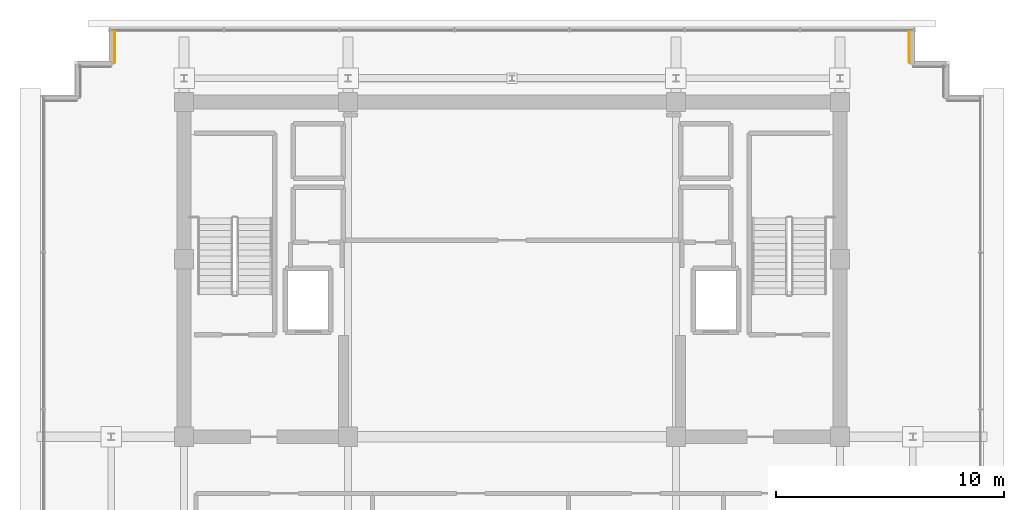
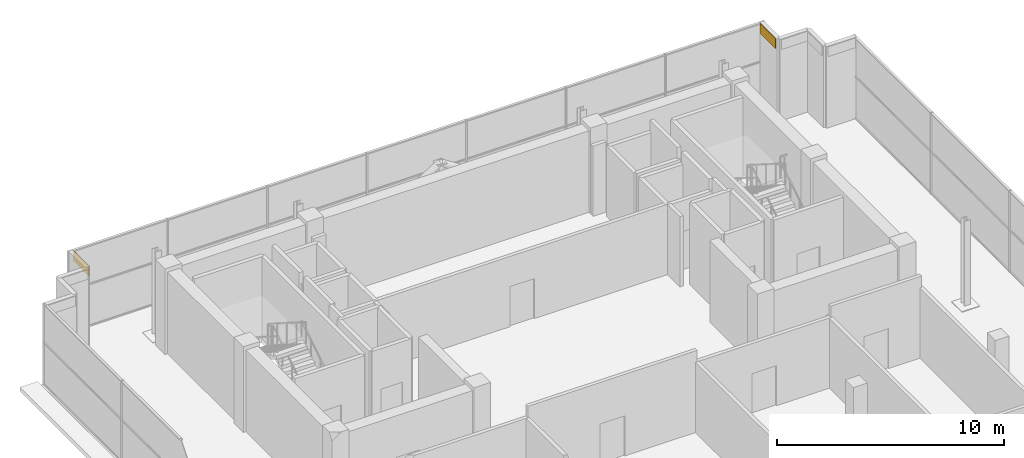
# One storey, part 28 of 28: 2 coverings.
"""IFC4 building model written with IfcOpenShell, lengths in metres."""

from ifc_helpers import new_model, si_unit, direction, frame, origin, origin_2d, place, context, subcontext, project, spatial, rectangle, extrude, source, transform, mapped, material, layer, layer_set, type_object, element, save


model = new_model("IFC4")

# Units and contexts
model_context = context("Model", 3, precision=1e-05, world=origin(), true_north=direction((0.0, 1.0)))
body_context = subcontext(model_context, "Body", "Model", "MODEL_VIEW")
ifc_project = project(units=[si_unit("LENGTHUNIT", "METRE"), si_unit("AREAUNIT", "SQUARE_METRE"), si_unit("VOLUMEUNIT", "CUBIC_METRE"), si_unit("PLANEANGLEUNIT", "RADIAN"), si_unit("MASSUNIT", "GRAM", prefix="KILO")], contexts=[model_context])

# Site, building, storey
site_placement = place(None, origin())
site = spatial("IfcSite", under=ifc_project, at=site_placement, CompositionType="ELEMENT")
building_placement = place(site_placement, origin())
building = spatial("IfcBuilding", under=site, at=building_placement, Name="Zarnakvel Exchange Tower", CompositionType="ELEMENT")
storey_placement = place(building_placement, frame((0.0, 0.0, 271.60009765625)))
storey = spatial("IfcBuildingStorey", under=building, at=storey_placement, Name="Crown L77", CompositionType="ELEMENT", Elevation=271.60009765625)

# Coverings
ifc_material = material(Name="Glazed Turquoise Ceramic Architectural Tile", Category="ceramic")
ifc_layer = layer(ifc_material, 0.028076171875)
ifc_layer_set = layer_set([ifc_layer], Name="Glazed Turquoise Ceramic Architectural Tile")
covering_type = type_object("IfcCoveringType", Name="CL-01", PredefinedType="CLADDING", material=ifc_layer_set)
shared_shape = source(origin(), body_context, "Body", "SweptSolid", [
    extrude(rectangle(XDim=1.3798828125, YDim=0.028076171875, at=origin_2d()), origin(), (0.0, 0.0, 1.0), 0.52001953125),
])
for number, where, z_axis, x_axis, name in (
    (1, (-17.43798828125, 15.909912109375, 3.83984375), (0.0, 0.0, 1.0), (0.0, -1.0, 0.0), "Crown L77 Ceramic Spandrel Tilework CL-01"),
    (2, (17.43798828125, 15.909912109375, 3.83984375), (0.0, 0.0, 1.0), (0.0, 1.0, 0.0), "Crown L77 Ceramic Spandrel Tilework CL-01"),
):
    element("IfcCovering", number, at=place(storey_placement, frame(where, z_axis=z_axis, x_axis=x_axis)), inside=storey, type_object=covering_type, Name=name, PredefinedType="CLADDING", context=body_context, shape_type="MappedRepresentation", body=[
        mapped(shared_shape, transform((0.0, 0.0, 0.0), x_axis=(1.0, 0.0, 0.0), y_axis=(0.0, 1.0, 0.0), z_axis=(0.0, 0.0, 1.0), scale=1.0)),
    ])

save(model, "model.ifc")
